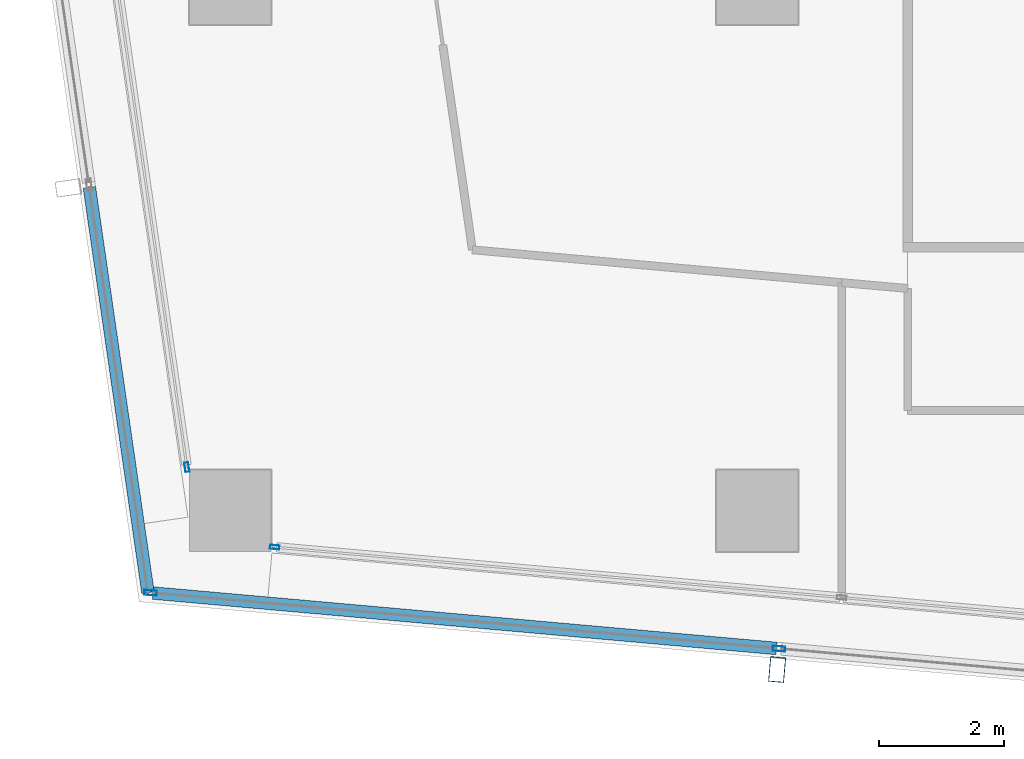
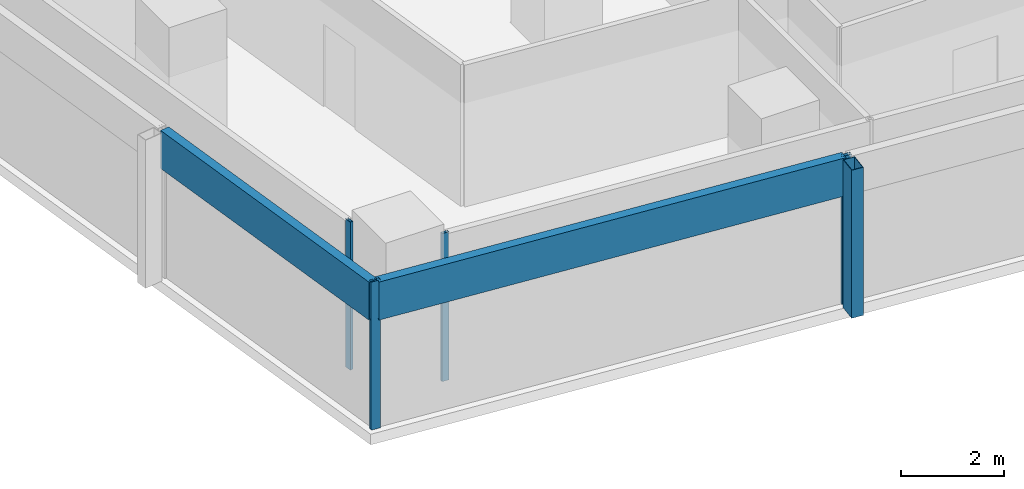
# One storey, part 2 of 30: 7 members, 4 elements without a shape of their own.
"""IFC4 building model written with IfcOpenShell, lengths in metres."""

from ifc_helpers import new_model, si_unit, direction, frame, origin, origin_2d, place, context, subcontext, project, spatial, hollow_rectangle, extrude, material, material_profile, profile_set, type_object, element, aggregate, save


model = new_model("IFC4")

# Units and contexts
model_context = context("Model", 3, precision=1e-05, world=origin(), true_north=direction((0.0, 1.0)))
body_context = subcontext(model_context, "Body", "Model", "MODEL_VIEW")
ifc_project = project(units=[si_unit("LENGTHUNIT", "METRE"), si_unit("AREAUNIT", "SQUARE_METRE"), si_unit("VOLUMEUNIT", "CUBIC_METRE"), si_unit("PLANEANGLEUNIT", "RADIAN"), si_unit("MASSUNIT", "GRAM", prefix="KILO")], contexts=[model_context])

# Site, building, storey
site_placement = place(None, origin())
site = spatial("IfcSite", under=ifc_project, at=site_placement, CompositionType="ELEMENT")
building_placement = place(site_placement, origin())
building = spatial("IfcBuilding", under=site, at=building_placement, Name="Rekha Terrace Tower", CompositionType="ELEMENT")
storey_placement = place(building_placement, frame((0.0, 0.0, 265.10009765625)))
storey = spatial("IfcBuildingStorey", under=building, at=storey_placement, Name="L67", CompositionType="ELEMENT", Elevation=265.10009765625)

# Curtain wall, member
ifc_material_1 = material(Name="Aluminium framing", Category="aluminium")
curtain_wall_type_1 = type_object("IfcCurtainWallType", Name="CW2 double skin outer glazing", PredefinedType="USERDEFINED", material=ifc_material_1)
curtain_wall_1_placement = place(storey_placement, origin())
curtain_wall_1 = element("IfcCurtainWall", 1, at=curtain_wall_1_placement, inside=storey, type_object=curtain_wall_type_1, Name="CW2 double skin outer glazing", ObjectType="DOUBLE SKIN OUTER GLAZING", PredefinedType="USERDEFINED")
ifc_material_2 = material(Name="Steel S355 with fluorocarbon finish", Category="steel")
ifc_material_profile_1 = material_profile(ifc_material_2, hollow_rectangle(XDim=0.25, YDim=0.39990234375, WallThickness=0.012451171875, at=origin_2d()), Name="RHS400x250x12.5")
ifc_profile_set_1 = profile_set([ifc_material_profile_1], Name="Steel S355 with fluorocarbon finish")
member_type_1 = type_object("IfcMemberType", Name="BL1 facade blade RHS 400 x 250", PredefinedType="USERDEFINED", material=ifc_profile_set_1)
member_1_placement = place(storey_placement, frame((17.118896484375, 14.2705078125, 0.0), z_axis=(0.0, 0.0, 1.0), x_axis=(0.996074197996, -0.088522268879, 0.0)))
member_1 = element("IfcMember", 2, at=member_1_placement, type_object=member_type_1, Name="Facade blade", ObjectType="FACADE BLADE", PredefinedType="USERDEFINED", context=body_context, shape_type="SweptSolid", body=[
    extrude(hollow_rectangle(XDim=0.25, YDim=0.39990234375, WallThickness=0.012451171875, at=origin_2d()), origin(), (0.0, 0.0, 1.0), 3.5),
])

curtain_wall_type_2 = type_object("IfcCurtainWallType", Name="CW1 double skin inner glazing", PredefinedType="USERDEFINED", material=ifc_material_1)
curtain_wall_2_placement = place(storey_placement, origin())
curtain_wall_2 = element("IfcCurtainWall", 3, at=curtain_wall_2_placement, inside=storey, type_object=curtain_wall_type_2, Name="CW1 double skin inner glazing", ObjectType="DOUBLE SKIN INNER GLAZING", PredefinedType="USERDEFINED")
ifc_material_3 = material(Name="Aluminium mullion section", Category="aluminium")
ifc_material_profile_2 = material_profile(ifc_material_3, hollow_rectangle(XDim=0.06494140625, YDim=0.14990234375, WallThickness=0.00390625, at=origin_2d()), Name="AL RHS 65x150")
ifc_profile_set_2 = profile_set([ifc_material_profile_2], Name="Aluminium mullion section")
member_type_2 = type_object("IfcMemberType", Name="CW1 mullion RHS 65 x 150", PredefinedType="MULLION", material=ifc_profile_set_2)
member_2_placement = place(storey_placement, frame((9.109130859375, 16.222412109375, 0.0), z_axis=(0.0, 0.0, 1.0), x_axis=(0.088522441405, 0.996074182663, 0.0)))
member_2 = element("IfcMember", 4, at=member_2_placement, type_object=member_type_2, Name="CW1 mullion 1", PredefinedType="MULLION", context=body_context, shape_type="SweptSolid", body=[
    extrude(hollow_rectangle(XDim=0.06494140625, YDim=0.14990234375, WallThickness=0.00390625, at=origin_2d()), origin(), (0.0, 0.0, 1.0), 3.5),
])
aggregate(curtain_wall_2, [member_2])

curtain_wall_3_placement = place(storey_placement, origin())
curtain_wall_3 = element("IfcCurtainWall", 5, at=curtain_wall_3_placement, inside=storey, type_object=curtain_wall_type_2, Name="CW1 double skin inner glazing", ObjectType="DOUBLE SKIN INNER GLAZING", PredefinedType="USERDEFINED")
member_3_placement = place(storey_placement, frame((7.71044921875, 17.497314453125, 0.0), z_axis=(0.0, 0.0, 1.0), x_axis=(0.989707031394, 0.143108322643, 0.0)))
member_3 = element("IfcMember", 6, at=member_3_placement, type_object=member_type_2, Name="CW1 mullion 2", PredefinedType="MULLION", context=body_context, shape_type="SweptSolid", body=[
    extrude(hollow_rectangle(XDim=0.06494140625, YDim=0.14990234375, WallThickness=0.00390625, at=origin_2d()), origin(), (0.0, 0.0, 1.0), 3.5),
])
aggregate(curtain_wall_3, [member_3])

# Member
ifc_material_profile_3 = material_profile(ifc_material_3, hollow_rectangle(XDim=0.080078125, YDim=0.199951171875, WallThickness=0.00390625, at=origin_2d()), Name="AL RHS 80x200")
ifc_profile_set_3 = profile_set([ifc_material_profile_3], Name="Aluminium mullion section")
member_type_3 = type_object("IfcMemberType", Name="CW2 mullion RHS 80 x 200", PredefinedType="MULLION", material=ifc_profile_set_3)
member_4_placement = place(storey_placement, frame((7.130126953125, 15.49462890625, 0.0), z_axis=(0.0, 0.0, 1.0), x_axis=(0.088522441457, 0.996074182658, 0.0)))
member_4 = element("IfcMember", 7, at=member_4_placement, type_object=member_type_3, Name="CW2 mullion 1", PredefinedType="MULLION", context=body_context, shape_type="SweptSolid", body=[
    extrude(hollow_rectangle(XDim=0.080078125, YDim=0.199951171875, WallThickness=0.00390625, at=origin_2d()), origin(), (0.0, 0.0, 1.0), 3.5),
])

member_5_placement = place(storey_placement, frame((17.1484375, 14.604248046875, 0.0), z_axis=(0.0, 0.0, 1.0), x_axis=(0.088522441457, 0.996074182658, 0.0)))
member_5 = element("IfcMember", 8, at=member_5_placement, type_object=member_type_3, Name="CW2 mullion 2", PredefinedType="MULLION", context=body_context, shape_type="SweptSolid", body=[
    extrude(hollow_rectangle(XDim=0.080078125, YDim=0.199951171875, WallThickness=0.00390625, at=origin_2d()), origin(), (0.0, 0.0, 1.0), 3.5),
])

ifc_material_4 = material(Name="Insulated aluminium spandrel box", Category="aluminium")
ifc_material_profile_4 = material_profile(ifc_material_4, hollow_rectangle(XDim=0.199951171875, YDim=0.89990234375, WallThickness=0.0029296875, at=origin_2d()), Name="AL SPANDREL BOX 200x900")
ifc_profile_set_4 = profile_set([ifc_material_profile_4], Name="Insulated aluminium spandrel box")
member_type_4 = type_object("IfcMemberType", Name="CW2 spandrel transom 200 x 900", PredefinedType="USERDEFINED", material=ifc_profile_set_4)
member_6_placement = place(storey_placement, frame((7.169921875, 15.490966796875, 3.0498046875), z_axis=(0.996076044645, -0.088501487472, 0.0), x_axis=(0.088501487472, 0.996076044645, 0.0)))
member_6 = element("IfcMember", 9, at=member_6_placement, type_object=member_type_4, Name="CW2 spandrel transom 1", ObjectType="TRANSOM", PredefinedType="USERDEFINED", context=body_context, shape_type="SweptSolid", body=[
    extrude(hollow_rectangle(XDim=0.199951171875, YDim=0.89990234375, WallThickness=0.0029296875, at=origin_2d()), origin(), (0.0, 0.0, 1.0), 9.977783203125),
])

aggregate(curtain_wall_1, [member_4, member_5, member_6, member_1])

# Curtain wall, member
curtain_wall_4_placement = place(storey_placement, origin())
curtain_wall_4 = element("IfcCurtainWall", 10, at=curtain_wall_4_placement, inside=storey, type_object=curtain_wall_type_1, Name="CW2 double skin outer glazing", ObjectType="DOUBLE SKIN OUTER GLAZING", PredefinedType="USERDEFINED")
member_7_placement = place(storey_placement, frame((6.15625, 21.95703125, 3.0498046875), z_axis=(0.143128512687, -0.989704111771, 0.0), x_axis=(0.989704111771, 0.143128512687, 0.0)))
member_7 = element("IfcMember", 11, at=member_7_placement, type_object=member_type_4, Name="CW2 spandrel transom 2", ObjectType="TRANSOM", PredefinedType="USERDEFINED", context=body_context, shape_type="SweptSolid", body=[
    extrude(hollow_rectangle(XDim=0.199951171875, YDim=0.89990234375, WallThickness=0.0029296875, at=origin_2d()), origin(), (0.0, 0.0, 1.0), 6.526123046875),
])
aggregate(curtain_wall_4, [member_7])

save(model, "model.ifc")
